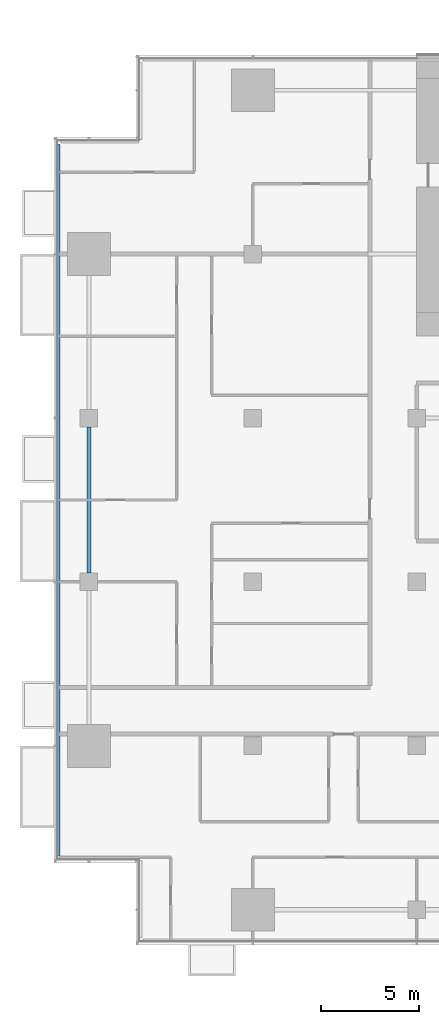
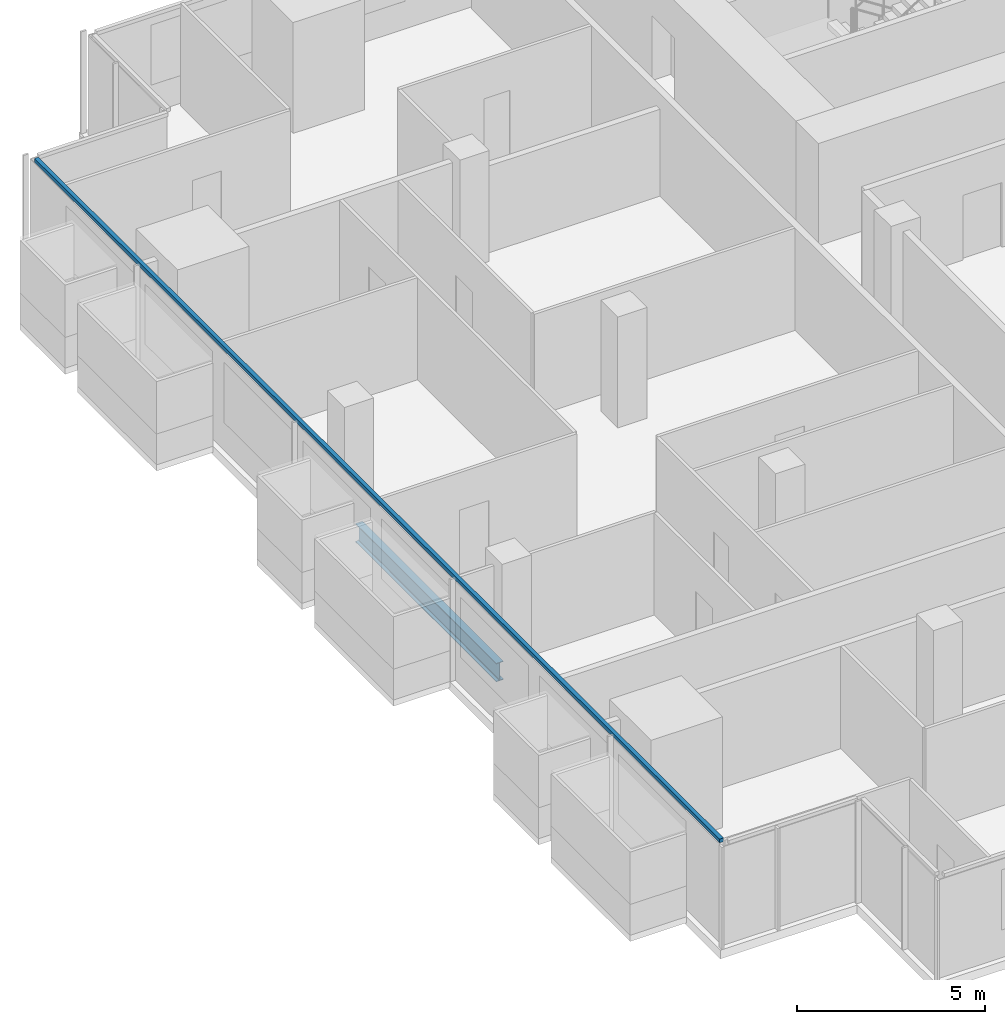
# One storey, part 3 of 27: 1 beam, 1 member, 1 element without a shape of its own.
"""IFC4 building model written with IfcOpenShell, lengths in metres."""

from ifc_helpers import new_model, si_unit, direction, frame, origin, origin_2d, place, context, subcontext, project, spatial, rectangle, i_section, extrude, material, material_profile, profile_set, type_object, element, aggregate, save


model = new_model("IFC4")

# Units and contexts
model_context = context("Model", 3, precision=1e-05, world=origin(), true_north=direction((0.0, 1.0)))
body_context = subcontext(model_context, "Body", "Model", "MODEL_VIEW")
ifc_project = project(units=[si_unit("LENGTHUNIT", "METRE"), si_unit("AREAUNIT", "SQUARE_METRE"), si_unit("VOLUMEUNIT", "CUBIC_METRE"), si_unit("PLANEANGLEUNIT", "RADIAN"), si_unit("MASSUNIT", "GRAM", prefix="KILO")], contexts=[model_context])

# Site, building, storey
site_placement = place(None, origin())
site = spatial("IfcSite", under=ifc_project, at=site_placement, CompositionType="ELEMENT")
building_placement = place(site_placement, origin())
building = spatial("IfcBuilding", under=site, at=building_placement, Name="Saffron Gate Tower", CompositionType="ELEMENT")
storey_placement = place(building_placement, frame((0.0, 0.0, 40.800048828125)))
storey = spatial("IfcBuildingStorey", under=building, at=storey_placement, Name="L08", CompositionType="ELEMENT", Elevation=40.800048828125)

# Beam
ifc_material_1 = material(Name="Structural steel S355", Category="steel")
ifc_material_profile_1 = material_profile(ifc_material_1, i_section(OverallWidth=0.219970703125, OverallDepth=0.60009765625, WebThickness=0.011962890625, FlangeThickness=0.01904296875, FilletRadius=0.02392578125, at=origin_2d()))
ifc_profile_set_1 = profile_set([ifc_material_profile_1], Name="Structural steel S355")
beam_type = type_object("IfcBeamType", Name="B16 IPE 600", PredefinedType="SPANDREL", material=ifc_profile_set_1)
beam_placement = place(storey_placement, frame((49.800048828125, 49.050048828125, -0.580078125), z_axis=(0.0, 1.0, 0.0), x_axis=(-1.0, 0.0, 0.0)))
element("IfcBeam", 1, at=beam_placement, inside=storey, type_object=beam_type, Name="B16 SPANDREL BEAM", PredefinedType="SPANDREL", context=body_context, shape_type="SweptSolid", body=[
    extrude(i_section(OverallWidth=0.219970703125, OverallDepth=0.60009765625, WebThickness=0.011962890625, FlangeThickness=0.01904296875, FilletRadius=0.02392578125, at=origin_2d()), origin(), (0.0, 0.0, 1.0), 7.5),
])

# Curtain wall, member
ifc_material_2 = material(Name="Aluminium, bronze anodised", Category="aluminium")
curtain_wall_type = type_object("IfcCurtainWallType", Name="CWS2 curtain wall side facades", PredefinedType="NOTDEFINED", material=ifc_material_2)
curtain_wall_placement = place(storey_placement, origin())
curtain_wall = element("IfcCurtainWall", 2, at=curtain_wall_placement, inside=storey, type_object=curtain_wall_type, Name="CWS2 run 10", PredefinedType="NOTDEFINED")
ifc_material_profile_2 = material_profile(ifc_material_2, rectangle(XDim=0.1201171875, YDim=0.1201171875, at=origin_2d()))
ifc_profile_set_2 = profile_set([ifc_material_profile_2], Name="Aluminium, bronze anodised")
member_type = type_object("IfcMemberType", Name="CWS2 head transom", PredefinedType="USERDEFINED", material=ifc_profile_set_2)
member_placement = place(storey_placement, frame((48.248046875, 71.031982421875, 3.260009765625), z_axis=(0.0, -1.0, 0.0), x_axis=(1.0, 0.0, 0.0)))
member = element("IfcMember", 3, at=member_placement, type_object=member_type, Name="CWS2 head transom", ObjectType="TRANSOM", PredefinedType="USERDEFINED", context=body_context, shape_type="SweptSolid", body=[
    extrude(rectangle(XDim=0.1201171875, YDim=0.1201171875, at=origin_2d()), origin(), (0.0, 0.0, 1.0), 36.4638671875),
])
aggregate(curtain_wall, [member])

save(model, "model.ifc")
